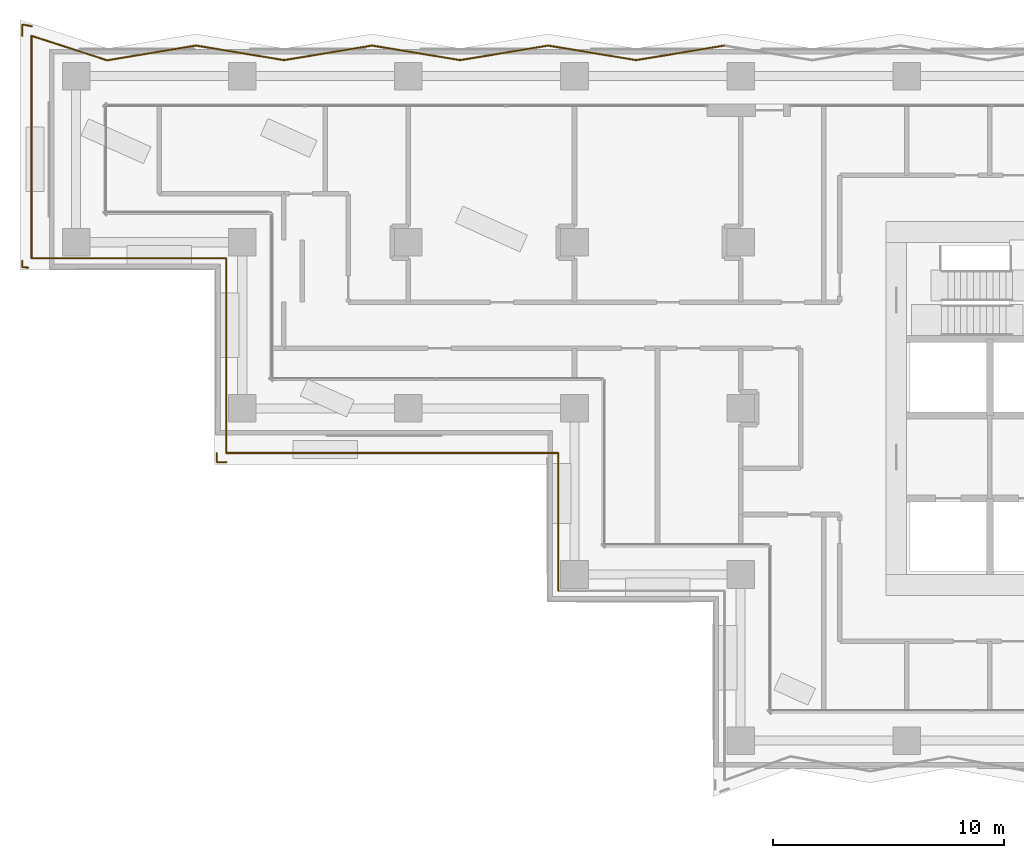
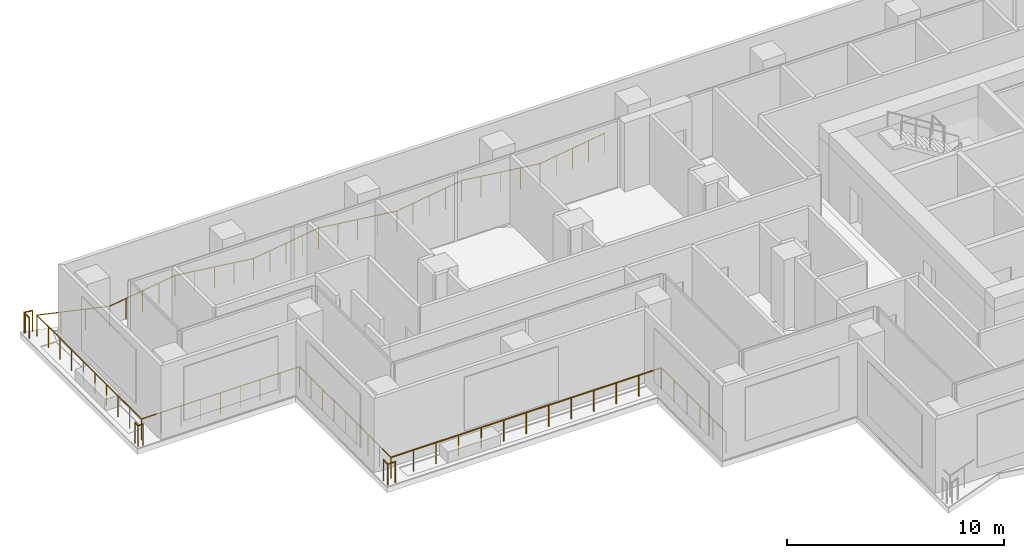
# One storey, part 20 of 24: 19 railings.
"""IFC4 building model written with IfcOpenShell, lengths in metres."""

from ifc_helpers import new_model, si_unit, direction, frame, origin, origin_2d, place, context, subcontext, project, spatial, circle, extrude, material, type_object, element, save


model = new_model("IFC4")

# Units and contexts
model_context = context("Model", 3, precision=1e-05, world=origin(), true_north=direction((0.0, 1.0)))
body_context = subcontext(model_context, "Body", "Model", "MODEL_VIEW")
ifc_project = project(units=[si_unit("LENGTHUNIT", "METRE"), si_unit("AREAUNIT", "SQUARE_METRE"), si_unit("VOLUMEUNIT", "CUBIC_METRE"), si_unit("PLANEANGLEUNIT", "RADIAN"), si_unit("MASSUNIT", "GRAM", prefix="KILO")], contexts=[model_context])

# Site, building, storey
site_placement = place(None, origin())
site = spatial("IfcSite", under=ifc_project, at=site_placement, CompositionType="ELEMENT")
building_placement = place(site_placement, origin())
building = spatial("IfcBuilding", under=site, at=building_placement, Name="Windrow Commons", CompositionType="ELEMENT")
storey_placement = place(building_placement, frame((0.0, 0.0, 67.8)))
storey = spatial("IfcBuildingStorey", under=building, at=storey_placement, Name="L18", CompositionType="ELEMENT", Elevation=67.8)

# Railings
ifc_material = material(Name="Stainless steel S316 balustrade with toughened glass infill", Category="steel")
railing_type = type_object("IfcRailingType", Name="Terrace guard 1200 podium", PredefinedType="BALUSTRADE", material=ifc_material)
railing_1_placement = place(storey_placement, frame((42.5, 49.7, 0.05)))
element("IfcRailing", 1, at=railing_1_placement, inside=storey, type_object=railing_type, Name="Guard TR-L18-1.E17", PredefinedType="BALUSTRADE", context=body_context, shape_type="SweptSolid", body=[
    extrude(circle(Radius=0.025, at=origin_2d()), frame((0.0, 0.0, 1.175), z_axis=(0.0, 1.0, 0.0), x_axis=(-1.0, 0.0, 0.0)), (0.0, 0.0, 1.0), 5.967),
    extrude(circle(Radius=0.02, at=origin_2d()), origin(), (0.0, 0.0, 1.0), 1.15),
    extrude(circle(Radius=0.02, at=origin_2d()), frame((0.0, 1.1934, 0.0)), (0.0, 0.0, 1.0), 1.15),
    extrude(circle(Radius=0.02, at=origin_2d()), frame((0.0, 2.3868, 0.0)), (0.0, 0.0, 1.0), 1.15),
    extrude(circle(Radius=0.02, at=origin_2d()), frame((0.0, 3.5802, 0.0)), (0.0, 0.0, 1.0), 1.15),
    extrude(circle(Radius=0.02, at=origin_2d()), frame((0.0, 4.7736, 0.0)), (0.0, 0.0, 1.0), 1.15),
    extrude(circle(Radius=0.02, at=origin_2d()), frame((0.0, 5.967, 0.0)), (0.0, 0.0, 1.0), 1.15),
])
railing_2_placement = place(storey_placement, frame((42.5, 55.667, 0.05)))
element("IfcRailing", 2, at=railing_2_placement, inside=storey, type_object=railing_type, Name="Guard TR-L18-1.E18", PredefinedType="BALUSTRADE", context=body_context, shape_type="SweptSolid", body=[
    extrude(circle(Radius=0.025, at=origin_2d()), frame((0.0, 0.0, 1.175), z_axis=(-1.0, 0.0, 0.0), x_axis=(0.0, -1.0, 0.0)), (0.0, 0.0, 1.0), 14.4),
    extrude(circle(Radius=0.02, at=origin_2d()), origin(), (0.0, 0.0, 1.0), 1.15),
    extrude(circle(Radius=0.02, at=origin_2d()), frame((-1.2, 0.0, 0.0)), (0.0, 0.0, 1.0), 1.15),
    extrude(circle(Radius=0.02, at=origin_2d()), frame((-2.4, 0.0, 0.0)), (0.0, 0.0, 1.0), 1.15),
    extrude(circle(Radius=0.02, at=origin_2d()), frame((-3.6, 0.0, 0.0)), (0.0, 0.0, 1.0), 1.15),
    extrude(circle(Radius=0.02, at=origin_2d()), frame((-4.8, 0.0, 0.0)), (0.0, 0.0, 1.0), 1.15),
    extrude(circle(Radius=0.02, at=origin_2d()), frame((-6.0, 0.0, 0.0)), (0.0, 0.0, 1.0), 1.15),
    extrude(circle(Radius=0.02, at=origin_2d()), frame((-7.2, 0.0, 0.0)), (0.0, 0.0, 1.0), 1.15),
    extrude(circle(Radius=0.02, at=origin_2d()), frame((-8.4, 0.0, 0.0)), (0.0, 0.0, 1.0), 1.15),
    extrude(circle(Radius=0.02, at=origin_2d()), frame((-9.6, 0.0, 0.0)), (0.0, 0.0, 1.0), 1.15),
    extrude(circle(Radius=0.02, at=origin_2d()), frame((-10.8, 0.0, 0.0)), (0.0, 0.0, 1.0), 1.15),
    extrude(circle(Radius=0.02, at=origin_2d()), frame((-12.0, 0.0, 0.0)), (0.0, 0.0, 1.0), 1.15),
    extrude(circle(Radius=0.02, at=origin_2d()), frame((-13.2, 0.0, 0.0)), (0.0, 0.0, 1.0), 1.15),
    extrude(circle(Radius=0.02, at=origin_2d()), frame((-14.4, 0.0, 0.0)), (0.0, 0.0, 1.0), 1.15),
])
railing_3_placement = place(storey_placement, frame((28.1, 55.667, 0.05)))
element("IfcRailing", 3, at=railing_3_placement, inside=storey, type_object=railing_type, Name="Guard TR-L18-1.E19", PredefinedType="BALUSTRADE", context=body_context, shape_type="SweptSolid", body=[
    extrude(circle(Radius=0.025, at=origin_2d()), frame((0.0, 0.0, 1.175), z_axis=(0.0, 1.0, 0.0), x_axis=(-1.0, 0.0, 0.0)), (0.0, 0.0, 1.0), 8.433),
    extrude(circle(Radius=0.02, at=origin_2d()), origin(), (0.0, 0.0, 1.0), 1.15),
    extrude(circle(Radius=0.02, at=origin_2d()), frame((0.0, 1.0541, 0.0)), (0.0, 0.0, 1.0), 1.15),
    extrude(circle(Radius=0.02, at=origin_2d()), frame((0.0, 2.1082, 0.0)), (0.0, 0.0, 1.0), 1.15),
    extrude(circle(Radius=0.02, at=origin_2d()), frame((0.0, 3.1624, 0.0)), (0.0, 0.0, 1.0), 1.15),
    extrude(circle(Radius=0.02, at=origin_2d()), frame((0.0, 4.2165, 0.0)), (0.0, 0.0, 1.0), 1.15),
    extrude(circle(Radius=0.02, at=origin_2d()), frame((0.0, 5.2706, 0.0)), (0.0, 0.0, 1.0), 1.15),
    extrude(circle(Radius=0.02, at=origin_2d()), frame((0.0, 6.3247, 0.0)), (0.0, 0.0, 1.0), 1.15),
    extrude(circle(Radius=0.02, at=origin_2d()), frame((0.0, 7.3789, 0.0)), (0.0, 0.0, 1.0), 1.15),
    extrude(circle(Radius=0.02, at=origin_2d()), frame((0.0, 8.433, 0.0)), (0.0, 0.0, 1.0), 1.15),
])
railing_4_placement = place(storey_placement, frame((28.1, 64.1, 0.05)))
element("IfcRailing", 4, at=railing_4_placement, inside=storey, type_object=railing_type, Name="Guard TR-L18-1.E20", PredefinedType="BALUSTRADE", context=body_context, shape_type="SweptSolid", body=[
    extrude(circle(Radius=0.025, at=origin_2d()), frame((0.0, 0.0, 1.175), z_axis=(-1.0, 0.0, 0.0), x_axis=(0.0, -1.0, 0.0)), (0.0, 0.0, 1.0), 8.433),
    extrude(circle(Radius=0.02, at=origin_2d()), origin(), (0.0, 0.0, 1.0), 1.15),
    extrude(circle(Radius=0.02, at=origin_2d()), frame((-1.0541, 0.0, 0.0)), (0.0, 0.0, 1.0), 1.15),
    extrude(circle(Radius=0.02, at=origin_2d()), frame((-2.1082, 0.0, 0.0)), (0.0, 0.0, 1.0), 1.15),
    extrude(circle(Radius=0.02, at=origin_2d()), frame((-3.1624, 0.0, 0.0)), (0.0, 0.0, 1.0), 1.15),
    extrude(circle(Radius=0.02, at=origin_2d()), frame((-4.2165, 0.0, 0.0)), (0.0, 0.0, 1.0), 1.15),
    extrude(circle(Radius=0.02, at=origin_2d()), frame((-5.2706, 0.0, 0.0)), (0.0, 0.0, 1.0), 1.15),
    extrude(circle(Radius=0.02, at=origin_2d()), frame((-6.3247, 0.0, 0.0)), (0.0, 0.0, 1.0), 1.15),
    extrude(circle(Radius=0.02, at=origin_2d()), frame((-7.3789, 0.0, 0.0)), (0.0, 0.0, 1.0), 1.15),
    extrude(circle(Radius=0.02, at=origin_2d()), frame((-8.433, 0.0, 0.0)), (0.0, 0.0, 1.0), 1.15),
])
railing_5_placement = place(storey_placement, frame((19.667, 64.1, 0.05)))
element("IfcRailing", 5, at=railing_5_placement, inside=storey, type_object=railing_type, Name="Guard TR-L18-1.E21", PredefinedType="BALUSTRADE", context=body_context, shape_type="SweptSolid", body=[
    extrude(circle(Radius=0.025, at=origin_2d()), frame((0.0, 0.0, 1.175), z_axis=(0.0, 1.0, 0.0), x_axis=(-1.0, 0.0, 0.0)), (0.0, 0.0, 1.0), 9.6459),
    extrude(circle(Radius=0.02, at=origin_2d()), origin(), (0.0, 0.0, 1.0), 1.15),
    extrude(circle(Radius=0.02, at=origin_2d()), frame((0.0, 1.0718, 0.0)), (0.0, 0.0, 1.0), 1.15),
    extrude(circle(Radius=0.02, at=origin_2d()), frame((0.0, 2.1435, 0.0)), (0.0, 0.0, 1.0), 1.15),
    extrude(circle(Radius=0.02, at=origin_2d()), frame((0.0, 3.2153, 0.0)), (0.0, 0.0, 1.0), 1.15),
    extrude(circle(Radius=0.02, at=origin_2d()), frame((0.0, 4.2871, 0.0)), (0.0, 0.0, 1.0), 1.15),
    extrude(circle(Radius=0.02, at=origin_2d()), frame((0.0, 5.3588, 0.0)), (0.0, 0.0, 1.0), 1.15),
    extrude(circle(Radius=0.02, at=origin_2d()), frame((0.0, 6.4306, 0.0)), (0.0, 0.0, 1.0), 1.15),
    extrude(circle(Radius=0.02, at=origin_2d()), frame((0.0, 7.5024, 0.0)), (0.0, 0.0, 1.0), 1.15),
    extrude(circle(Radius=0.02, at=origin_2d()), frame((0.0, 8.5741, 0.0)), (0.0, 0.0, 1.0), 1.15),
    extrude(circle(Radius=0.02, at=origin_2d()), frame((0.0, 9.6459, 0.0)), (0.0, 0.0, 1.0), 1.15),
])
railing_6_placement = place(storey_placement, frame((19.667, 73.7459, 0.05)))
element("IfcRailing", 6, at=railing_6_placement, inside=storey, type_object=railing_type, Name="Guard TR-L18-1.E22", PredefinedType="BALUSTRADE", context=body_context, shape_type="SweptSolid", body=[
    extrude(circle(Radius=0.025, at=origin_2d()), frame((0.0, 0.0, 1.175), z_axis=(0.9515302805, -0.3075550768, 0.0), x_axis=(0.3075550768, 0.9515302805, 0.0)), (0.0, 0.0, 1.0), 3.4436),
    extrude(circle(Radius=0.02, at=origin_2d()), origin(), (0.0, 0.0, 1.0), 1.15),
    extrude(circle(Radius=0.02, at=origin_2d()), frame((1.0922, -0.353, 0.0)), (0.0, 0.0, 1.0), 1.15),
    extrude(circle(Radius=0.02, at=origin_2d()), frame((2.1845, -0.7061, 0.0)), (0.0, 0.0, 1.0), 1.15),
    extrude(circle(Radius=0.02, at=origin_2d()), frame((3.2767, -1.0591, 0.0)), (0.0, 0.0, 1.0), 1.15),
])
railing_7_placement = place(storey_placement, frame((22.9437, 72.6868, 0.05)))
element("IfcRailing", 7, at=railing_7_placement, inside=storey, type_object=railing_type, Name="Guard TR-L18-1.E23", PredefinedType="BALUSTRADE", context=body_context, shape_type="SweptSolid", body=[
    extrude(circle(Radius=0.025, at=origin_2d()), frame((0.0, 0.0, 1.175), z_axis=(0.9865078672, 0.1637138598, 0.0), x_axis=(-0.1637138598, 0.9865078672, 0.0)), (0.0, 0.0, 1.0), 3.9056),
    extrude(circle(Radius=0.02, at=origin_2d()), origin(), (0.0, 0.0, 1.0), 1.15),
    extrude(circle(Radius=0.02, at=origin_2d()), frame((0.9632, 0.1598, 0.0)), (0.0, 0.0, 1.0), 1.15),
    extrude(circle(Radius=0.02, at=origin_2d()), frame((1.9265, 0.3197, 0.0)), (0.0, 0.0, 1.0), 1.15),
    extrude(circle(Radius=0.02, at=origin_2d()), frame((2.8897, 0.4795, 0.0)), (0.0, 0.0, 1.0), 1.15),
    extrude(circle(Radius=0.02, at=origin_2d()), frame((3.8529, 0.6394, 0.0)), (0.0, 0.0, 1.0), 1.15),
])
railing_8_placement = place(storey_placement, frame((26.7966, 73.3262, 0.05)))
element("IfcRailing", 8, at=railing_8_placement, inside=storey, type_object=railing_type, Name="Guard TR-L18-1.E24", PredefinedType="BALUSTRADE", context=body_context, shape_type="SweptSolid", body=[
    extrude(circle(Radius=0.025, at=origin_2d()), frame((0.0, 0.0, 1.175), z_axis=(0.9865110911, -0.1636944324, 0.0), x_axis=(0.1636944324, 0.9865110911, 0.0)), (0.0, 0.0, 1.0), 3.867),
    extrude(circle(Radius=0.02, at=origin_2d()), origin(), (0.0, 0.0, 1.0), 1.15),
    extrude(circle(Radius=0.02, at=origin_2d()), frame((0.9537, -0.1582, 0.0)), (0.0, 0.0, 1.0), 1.15),
    extrude(circle(Radius=0.02, at=origin_2d()), frame((1.9074, -0.3165, 0.0)), (0.0, 0.0, 1.0), 1.15),
    extrude(circle(Radius=0.02, at=origin_2d()), frame((2.8611, -0.4747, 0.0)), (0.0, 0.0, 1.0), 1.15),
    extrude(circle(Radius=0.02, at=origin_2d()), frame((3.8148, -0.633, 0.0)), (0.0, 0.0, 1.0), 1.15),
])
railing_9_placement = place(storey_placement, frame((30.6114, 72.6932, 0.05)))
element("IfcRailing", 9, at=railing_9_placement, inside=storey, type_object=railing_type, Name="Guard TR-L18-1.E25", PredefinedType="BALUSTRADE", context=body_context, shape_type="SweptSolid", body=[
    extrude(circle(Radius=0.025, at=origin_2d()), frame((0.0, 0.0, 1.175), z_axis=(0.9865103981, 0.1636986085, 0.0), x_axis=(-0.1636986085, 0.9865103981, 0.0)), (0.0, 0.0, 1.0), 3.8669),
    extrude(circle(Radius=0.02, at=origin_2d()), origin(), (0.0, 0.0, 1.0), 1.15),
    extrude(circle(Radius=0.02, at=origin_2d()), frame((0.9537, 0.1582, 0.0)), (0.0, 0.0, 1.0), 1.15),
    extrude(circle(Radius=0.02, at=origin_2d()), frame((1.9073, 0.3165, 0.0)), (0.0, 0.0, 1.0), 1.15),
    extrude(circle(Radius=0.02, at=origin_2d()), frame((2.861, 0.4747, 0.0)), (0.0, 0.0, 1.0), 1.15),
    extrude(circle(Radius=0.02, at=origin_2d()), frame((3.8147, 0.633, 0.0)), (0.0, 0.0, 1.0), 1.15),
])
railing_10_placement = place(storey_placement, frame((34.4261, 73.3262, 0.05)))
element("IfcRailing", 10, at=railing_10_placement, inside=storey, type_object=railing_type, Name="Guard TR-L18-1.E26", PredefinedType="BALUSTRADE", context=body_context, shape_type="SweptSolid", body=[
    extrude(circle(Radius=0.025, at=origin_2d()), frame((0.0, 0.0, 1.175), z_axis=(0.9865110911, -0.1636944324, 0.0), x_axis=(0.1636944324, 0.9865110911, 0.0)), (0.0, 0.0, 1.0), 3.867),
    extrude(circle(Radius=0.02, at=origin_2d()), origin(), (0.0, 0.0, 1.0), 1.15),
    extrude(circle(Radius=0.02, at=origin_2d()), frame((0.9537, -0.1582, 0.0)), (0.0, 0.0, 1.0), 1.15),
    extrude(circle(Radius=0.02, at=origin_2d()), frame((1.9074, -0.3165, 0.0)), (0.0, 0.0, 1.0), 1.15),
    extrude(circle(Radius=0.02, at=origin_2d()), frame((2.8611, -0.4747, 0.0)), (0.0, 0.0, 1.0), 1.15),
    extrude(circle(Radius=0.02, at=origin_2d()), frame((3.8148, -0.633, 0.0)), (0.0, 0.0, 1.0), 1.15),
])
railing_11_placement = place(storey_placement, frame((38.2409, 72.6932, 0.05)))
element("IfcRailing", 11, at=railing_11_placement, inside=storey, type_object=railing_type, Name="Guard TR-L18-1.E27", PredefinedType="BALUSTRADE", context=body_context, shape_type="SweptSolid", body=[
    extrude(circle(Radius=0.025, at=origin_2d()), frame((0.0, 0.0, 1.175), z_axis=(0.9865110911, 0.1636944324, 0.0), x_axis=(-0.1636944324, 0.9865110911, 0.0)), (0.0, 0.0, 1.0), 3.867),
    extrude(circle(Radius=0.02, at=origin_2d()), origin(), (0.0, 0.0, 1.0), 1.15),
    extrude(circle(Radius=0.02, at=origin_2d()), frame((0.9537, 0.1582, 0.0)), (0.0, 0.0, 1.0), 1.15),
    extrude(circle(Radius=0.02, at=origin_2d()), frame((1.9074, 0.3165, 0.0)), (0.0, 0.0, 1.0), 1.15),
    extrude(circle(Radius=0.02, at=origin_2d()), frame((2.8611, 0.4747, 0.0)), (0.0, 0.0, 1.0), 1.15),
    extrude(circle(Radius=0.02, at=origin_2d()), frame((3.8148, 0.633, 0.0)), (0.0, 0.0, 1.0), 1.15),
])
railing_12_placement = place(storey_placement, frame((42.0557, 73.3262, 0.05)))
element("IfcRailing", 12, at=railing_12_placement, inside=storey, type_object=railing_type, Name="Guard TR-L18-1.E28", PredefinedType="BALUSTRADE", context=body_context, shape_type="SweptSolid", body=[
    extrude(circle(Radius=0.025, at=origin_2d()), frame((0.0, 0.0, 1.175), z_axis=(0.9865110911, -0.1636944324, 0.0), x_axis=(0.1636944324, 0.9865110911, 0.0)), (0.0, 0.0, 1.0), 3.867),
    extrude(circle(Radius=0.02, at=origin_2d()), origin(), (0.0, 0.0, 1.0), 1.15),
    extrude(circle(Radius=0.02, at=origin_2d()), frame((0.9537, -0.1582, 0.0)), (0.0, 0.0, 1.0), 1.15),
    extrude(circle(Radius=0.02, at=origin_2d()), frame((1.9074, -0.3165, 0.0)), (0.0, 0.0, 1.0), 1.15),
    extrude(circle(Radius=0.02, at=origin_2d()), frame((2.8611, -0.4747, 0.0)), (0.0, 0.0, 1.0), 1.15),
    extrude(circle(Radius=0.02, at=origin_2d()), frame((3.8148, -0.633, 0.0)), (0.0, 0.0, 1.0), 1.15),
])
railing_13_placement = place(storey_placement, frame((45.8705, 72.6932, 0.05)))
element("IfcRailing", 13, at=railing_13_placement, inside=storey, type_object=railing_type, Name="Guard TR-L18-1.E29", PredefinedType="BALUSTRADE", context=body_context, shape_type="SweptSolid", body=[
    extrude(circle(Radius=0.025, at=origin_2d()), frame((0.0, 0.0, 1.175), z_axis=(0.9865110911, 0.1636944324, 0.0), x_axis=(-0.1636944324, 0.9865110911, 0.0)), (0.0, 0.0, 1.0), 3.867),
    extrude(circle(Radius=0.02, at=origin_2d()), origin(), (0.0, 0.0, 1.0), 1.15),
    extrude(circle(Radius=0.02, at=origin_2d()), frame((0.9537, 0.1582, 0.0)), (0.0, 0.0, 1.0), 1.15),
    extrude(circle(Radius=0.02, at=origin_2d()), frame((1.9074, 0.3165, 0.0)), (0.0, 0.0, 1.0), 1.15),
    extrude(circle(Radius=0.02, at=origin_2d()), frame((2.8611, 0.4747, 0.0)), (0.0, 0.0, 1.0), 1.15),
    extrude(circle(Radius=0.02, at=origin_2d()), frame((3.8148, 0.633, 0.0)), (0.0, 0.0, 1.0), 1.15),
])
railing_14_placement = place(storey_placement, frame((19.267, 73.7515, 0.05)))
element("IfcRailing", 14, at=railing_14_placement, inside=storey, type_object=railing_type, Name="Guard TR-L18-1.C6", PredefinedType="BALUSTRADE", context=body_context, shape_type="SweptSolid", body=[
    extrude(circle(Radius=0.025, at=origin_2d()), frame((0.0, 0.0, 1.175), z_axis=(0.0, 1.0, 0.0), x_axis=(-1.0, 0.0, 0.0)), (0.0, 0.0, 1.0), 0.4881),
    extrude(circle(Radius=0.02, at=origin_2d()), origin(), (0.0, 0.0, 1.0), 1.15),
    extrude(circle(Radius=0.02, at=origin_2d()), frame((0.0, 0.4881, 0.0)), (0.0, 0.0, 1.0), 1.15),
])
railing_15_placement = place(storey_placement, frame((19.327, 74.2284, 0.05)))
element("IfcRailing", 15, at=railing_15_placement, inside=storey, type_object=railing_type, Name="Guard TR-L18-1.C7", PredefinedType="BALUSTRADE", context=body_context, shape_type="SweptSolid", body=[
    extrude(circle(Radius=0.025, at=origin_2d()), frame((0.0, 0.0, 1.175), z_axis=(0.9829386793, -0.1839335552, 0.0), x_axis=(0.1839335552, 0.9829386793, 0.0)), (0.0, 0.0, 1.0), 0.3572),
    extrude(circle(Radius=0.02, at=origin_2d()), origin(), (0.0, 0.0, 1.0), 1.15),
    extrude(circle(Radius=0.02, at=origin_2d()), frame((0.3511, -0.0657, 0.0)), (0.0, 0.0, 1.0), 1.15),
])
railing_16_placement = place(storey_placement, frame((19.523, 63.7, 0.05)))
element("IfcRailing", 16, at=railing_16_placement, inside=storey, type_object=railing_type, Name="Guard TR-L18-1.C8", PredefinedType="BALUSTRADE", context=body_context, shape_type="SweptSolid", body=[
    extrude(circle(Radius=0.025, at=origin_2d()), frame((0.0, 0.0, 1.175), z_axis=(-0.9971993099, 0.0747899482, 0.0), x_axis=(-0.0747899482, -0.9971993099, 0.0)), (0.0, 0.0, 1.0), 0.2567),
    extrude(circle(Radius=0.02, at=origin_2d()), origin(), (0.0, 0.0, 1.0), 1.15),
    extrude(circle(Radius=0.02, at=origin_2d()), frame((-0.256, 0.0192, 0.0)), (0.0, 0.0, 1.0), 1.15),
])
railing_17_placement = place(storey_placement, frame((19.267, 63.7192, 0.05)))
element("IfcRailing", 17, at=railing_17_placement, inside=storey, type_object=railing_type, Name="Guard TR-L18-1.C9", PredefinedType="BALUSTRADE", context=body_context, shape_type="SweptSolid", body=[
    extrude(circle(Radius=0.025, at=origin_2d()), frame((0.0, 0.0, 1.175), z_axis=(0.0, 1.0, 0.0), x_axis=(-1.0, 0.0, 0.0)), (0.0, 0.0, 1.0), 0.2753),
    extrude(circle(Radius=0.02, at=origin_2d()), origin(), (0.0, 0.0, 1.0), 1.15),
    extrude(circle(Radius=0.02, at=origin_2d()), frame((0.0, 0.2753, 0.0)), (0.0, 0.0, 1.0), 1.15),
])
railing_18_placement = place(storey_placement, frame((28.1023, 55.267, 0.05)))
element("IfcRailing", 18, at=railing_18_placement, inside=storey, type_object=railing_type, Name="Guard TR-L18-1.C10", PredefinedType="BALUSTRADE", context=body_context, shape_type="SweptSolid", body=[
    extrude(circle(Radius=0.025, at=origin_2d()), frame((0.0, 0.0, 1.175), z_axis=(-1.0, 0.0, 0.0), x_axis=(0.0, -1.0, 0.0)), (0.0, 0.0, 1.0), 0.4004),
    extrude(circle(Radius=0.02, at=origin_2d()), origin(), (0.0, 0.0, 1.0), 1.15),
    extrude(circle(Radius=0.02, at=origin_2d()), frame((-0.4004, 0.0, 0.0)), (0.0, 0.0, 1.0), 1.15),
])
railing_19_placement = place(storey_placement, frame((27.7019, 55.267, 0.05)))
element("IfcRailing", 19, at=railing_19_placement, inside=storey, type_object=railing_type, Name="Guard TR-L18-1.C11", PredefinedType="BALUSTRADE", context=body_context, shape_type="SweptSolid", body=[
    extrude(circle(Radius=0.025, at=origin_2d()), frame((0.0, 0.0, 1.175), z_axis=(-0.0047690221, 0.9999886281, 0.0), x_axis=(-0.9999886281, -0.0047690221, 0.0)), (0.0, 0.0, 1.0), 0.3984),
    extrude(circle(Radius=0.02, at=origin_2d()), origin(), (0.0, 0.0, 1.0), 1.15),
    extrude(circle(Radius=0.02, at=origin_2d()), frame((-0.0019, 0.3984, 0.0)), (0.0, 0.0, 1.0), 1.15),
])

save(model, "model.ifc")
